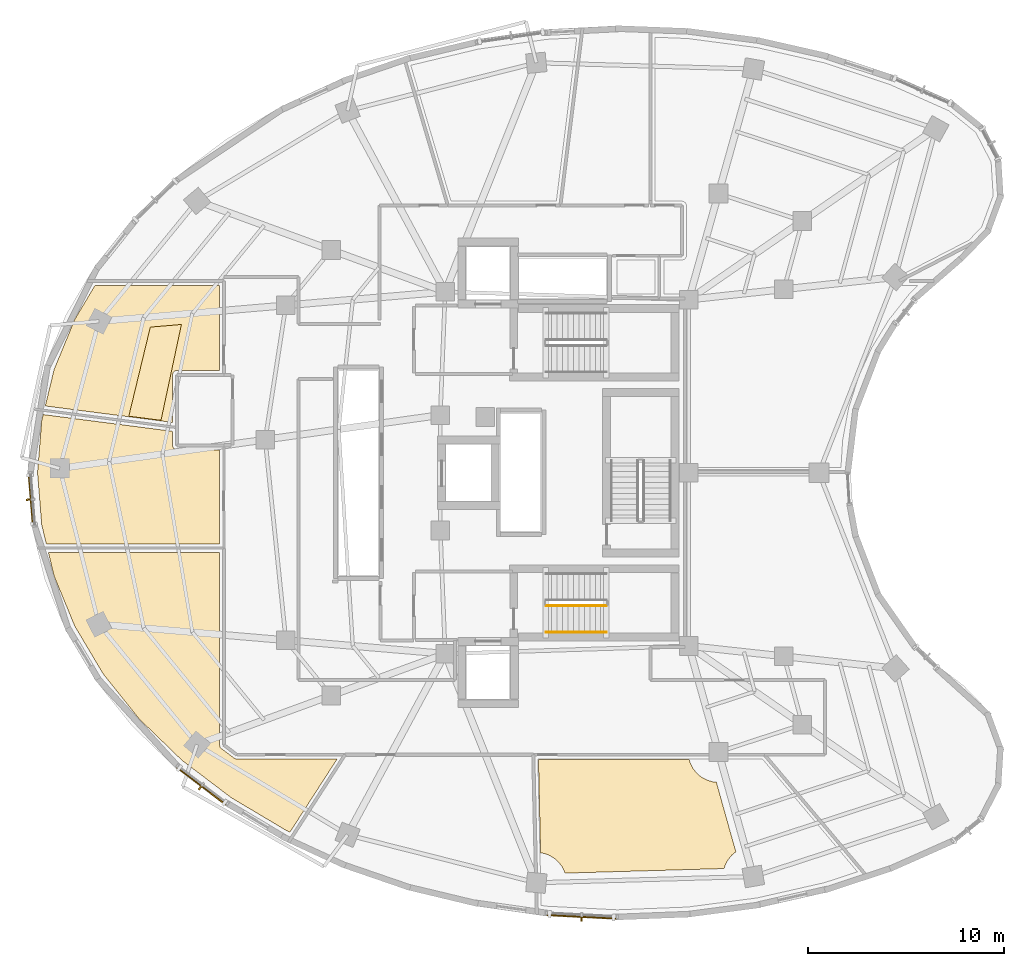
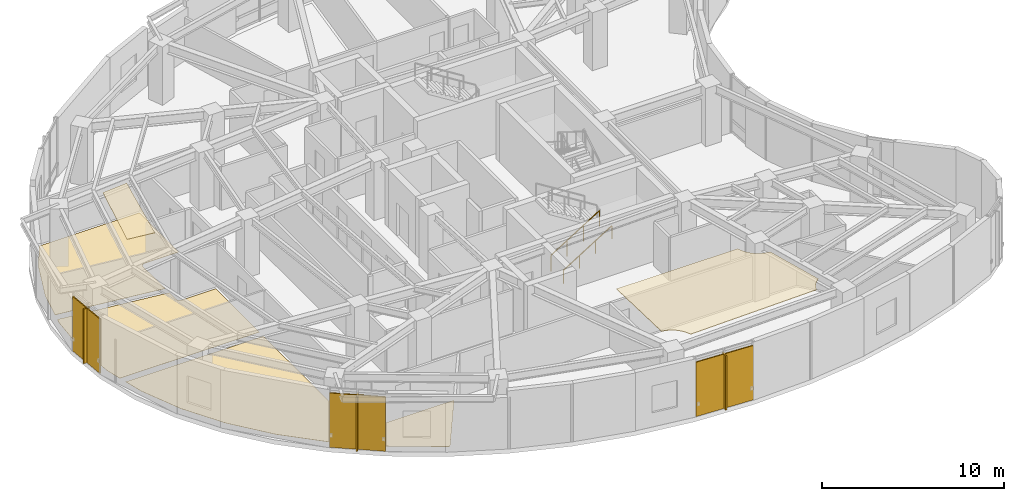
# One storey, part 13 of 15: 6 shading devices, 5 coverings, 2 railings.
"""IFC4 building model written with IfcOpenShell, lengths in metres."""

from ifc_helpers import new_model, si_unit, direction, frame, origin, origin_2d, place, context, subcontext, project, spatial, polyline, rectangle, outline, extrude, material, layer, layer_set, type_object, element, save


model = new_model("IFC4")

# Units and contexts
model_context = context("Model", 3, precision=1e-05, world=origin(), true_north=direction((0.0, 1.0)))
body_context = subcontext(model_context, "Body", "Model", "MODEL_VIEW")
ifc_project = project(units=[si_unit("LENGTHUNIT", "METRE"), si_unit("AREAUNIT", "SQUARE_METRE"), si_unit("VOLUMEUNIT", "CUBIC_METRE"), si_unit("PLANEANGLEUNIT", "RADIAN"), si_unit("MASSUNIT", "GRAM", prefix="KILO")], contexts=[model_context])

# Site, building, storey
site_placement = place(None, origin())
site = spatial("IfcSite", under=ifc_project, at=site_placement, CompositionType="ELEMENT")
building_placement = place(site_placement, origin())
building = spatial("IfcBuilding", under=site, at=building_placement, Name="Korentha Bioscience Tower", CompositionType="ELEMENT")
storey_placement = place(building_placement, frame((0.0, 0.0, 218.39990234375)))
storey = spatial("IfcBuildingStorey", under=building, at=storey_placement, Name="L50", CompositionType="ELEMENT", Elevation=218.39990234375)

# Railing
ifc_material_1 = material(Name="Stainless Steel 304", Category="steel")
railing_type_1 = type_object("IfcRailingType", Name="Brushed Stainless Stair Handrail 900", PredefinedType="HANDRAIL", material=ifc_material_1)
railing_1_placement = place(storey_placement, frame((30.25, 18.85009765625, 0.175048828125)))
element("IfcRailing", 1, at=railing_1_placement, inside=storey, type_object=railing_type_1, Name="L50 ST-2 stair handrail 1", PredefinedType="HANDRAIL", context=body_context, shape_type="SweptSolid", body=[
    extrude(rectangle(XDim=0.048095703125, YDim=0.048095703125, at=origin_2d()), frame((0.0, 0.0, 0.8759765625), z_axis=(0.847998304005, 0.0, 0.529998940003), x_axis=(0.0, 1.0, 0.0)), (0.0, 0.0, 1.0), 3.632080078125),
    extrude(rectangle(XDim=0.0419921875, YDim=0.0419921875, at=origin_2d()), origin(), (0.0, 0.0, 1.0), 0.851806640625),
    extrude(rectangle(XDim=0.0419921875, YDim=0.0419921875, at=origin_2d()), frame((1.026611328125, 0.0, 0.6416015625)), (0.0, 0.0, 1.0), 0.851806640625),
    extrude(rectangle(XDim=0.0419921875, YDim=0.0419921875, at=origin_2d()), frame((2.053466796875, 0.0, 1.283447265625)), (0.0, 0.0, 1.0), 0.851806640625),
    extrude(rectangle(XDim=0.0419921875, YDim=0.0419921875, at=origin_2d()), frame((3.080078125, 0.0, 1.925048828125)), (0.0, 0.0, 1.0), 0.851806640625),
])

# Coverings
ifc_material_2 = material(Name="Antimicrobial Mineral Fibre Board", Category="gypsum")
ifc_layer_1 = layer(ifc_material_2, 0.034912109375, Name="Antimicrobial Mineral Fibre Board")
ifc_layer_set_1 = layer_set([ifc_layer_1], Name="Antimicrobial Mineral Fibre Board (CL-MF35)")
covering_type_1 = type_object("IfcCoveringType", Name="Mineral-Fibre Cleanroom Suspended Ceiling 35", PredefinedType="CEILING", material=ifc_layer_set_1)
covering_1_placement = place(storey_placement, frame((0.0, 0.0, 3.864990234375)))
element("IfcCovering", 2, at=covering_1_placement, inside=storey, type_object=covering_type_1, Name="L50 Sterile Media Preparation Kitchen 05 Acoustic Ceiling", PredefinedType="CEILING", context=body_context, shape_type="SweptSolid", body=[
    extrude(outline(polyline([(39.953125, 7.632568359375), (39.7509765625, 7.464111328125), (39.55810546875, 7.22900390625), (39.414794921875, 6.961181640625), (39.352783203125, 6.774658203125), (31.2275390625, 6.540771484375), (31.126220703125, 6.779541015625), (31.048095703125, 6.909912109375), (30.855224609375, 7.144775390625), (30.74267578125, 7.2470703125), (30.620361328125, 7.337646484375), (30.3525390625, 7.480712890625), (30.209228515625, 7.531982421875), (29.97412109375, 7.58203125), (29.8671875, 12.340087890625), (37.568359375, 12.340087890625), (37.634521484375, 12.13720703125), (37.77783203125, 11.869140625), (37.970703125, 11.63427734375), (38.083251953125, 11.531982421875), (38.20556640625, 11.44140625), (38.473388671875, 11.29833984375), (38.76416015625, 11.210205078125), (38.958984375, 11.185546875), (39.953125, 7.632568359375)])), origin(), (0.0, 0.0, 1.0), 0.03515625),
])
covering_2_placement = place(storey_placement, frame((0.0, 0.0, 3.864990234375)))
element("IfcCovering", 3, at=covering_2_placement, inside=storey, type_object=covering_type_1, Name="L50 Neurobiology Electrophysiology Lab 11 Acoustic Ceiling", PredefinedType="CEILING", context=body_context, shape_type="SweptSolid", body=[
    extrude(outline(polyline([(10.031982421875, 34.443359375), (11.621337890625, 34.578857421875), (10.577880859375, 29.6796875), (8.932861328125, 29.892578125), (10.031982421875, 34.443359375)])), origin(), (0.0, 0.0, 1.0), 0.03515625),
])

# Railing
ifc_material_3 = material(Name="Painted Steel S275", Category="steel")
railing_type_2 = type_object("IfcRailingType", Name="Painted Steel Stair Well Guardrail 1100", PredefinedType="GUARDRAIL", material=ifc_material_3)
railing_2_placement = place(storey_placement, frame((30.25, 20.199951171875, 0.175048828125)))
element("IfcRailing", 4, at=railing_2_placement, inside=storey, type_object=railing_type_2, Name="L50 ST-2 stair guard 1", PredefinedType="GUARDRAIL", context=body_context, shape_type="SweptSolid", body=[
    extrude(rectangle(XDim=0.048095703125, YDim=0.048095703125, at=origin_2d()), frame((0.0, 0.0, 1.076171875), z_axis=(0.847998304005, 0.0, 0.529998940003), x_axis=(0.0, 1.0, 0.0)), (0.0, 0.0, 1.0), 3.632080078125),
    extrude(rectangle(XDim=0.0419921875, YDim=0.0419921875, at=origin_2d()), origin(), (0.0, 0.0, 1.0), 1.052001953125),
    extrude(rectangle(XDim=0.0419921875, YDim=0.0419921875, at=origin_2d()), frame((1.026611328125, 0.0, 0.6416015625)), (0.0, 0.0, 1.0), 1.052001953125),
    extrude(rectangle(XDim=0.0419921875, YDim=0.0419921875, at=origin_2d()), frame((2.053466796875, 0.0, 1.283447265625)), (0.0, 0.0, 1.0), 1.052001953125),
    extrude(rectangle(XDim=0.0419921875, YDim=0.0419921875, at=origin_2d()), frame((3.080078125, 0.0, 1.925048828125)), (0.0, 0.0, 1.0), 1.052001953125),
])

# Shading devices
ifc_material_4 = material(Name="Perforated Stone-Ceramic Composite", Category="masonry")
ifc_layer_2 = layer(ifc_material_4, 0.06494140625, Name="Perforated Stone-Ceramic Composite")
ifc_layer_set_2 = layer_set([ifc_layer_2], Name="Perforated Stone-Ceramic Composite (CS-01)")
shading_device_type_1 = type_object("IfcShadingDeviceType", Name="Perforated Stone-Ceramic Solar Screen Panel 65", PredefinedType="USERDEFINED", material=ifc_layer_set_2)
shading_device_1_placement = place(storey_placement, frame((3.926513671875, 25.634765625, 0.000244140625), z_axis=(0.0, 0.0, 1.0), x_axis=(0.07974803224, -0.996815053736, 0.0)))
element("IfcShadingDevice", 5, at=shading_device_1_placement, inside=storey, type_object=shading_device_type_1, Name="CW-L50-19 Perforated Stone-Ceramic Solar Screen", ObjectType="SCREEN", PredefinedType="USERDEFINED", context=body_context, shape_type="SweptSolid", body=[
    extrude(rectangle(XDim=2.64892578125, YDim=0.06494140625, at=origin_2d()), origin(), (0.0, 0.0, 1.0), 3.64990234375),
])
shading_device_2_placement = place(storey_placement, frame((12.64404296875, 10.98583984375, 0.000244140625), z_axis=(0.0, 0.0, 1.0), x_axis=(0.796889131105, -0.604125576951, 0.0)))
element("IfcShadingDevice", 6, at=shading_device_2_placement, inside=storey, type_object=shading_device_type_1, Name="CW-L50-25 Perforated Stone-Ceramic Solar Screen", ObjectType="SCREEN", PredefinedType="USERDEFINED", context=body_context, shape_type="SweptSolid", body=[
    extrude(rectangle(XDim=3.12548828125, YDim=0.06494140625, at=origin_2d()), origin(), (0.0, 0.0, 1.0), 3.64990234375),
])
shading_device_3_placement = place(storey_placement, frame((32.072998046875, 4.308837890625, 0.000244140625), z_axis=(0.0, 0.0, 1.0), x_axis=(0.998695818107, -0.051055488397, 0.0)))
element("IfcShadingDevice", 7, at=shading_device_3_placement, inside=storey, type_object=shading_device_type_1, Name="CW-L50-31 Perforated Stone-Ceramic Solar Screen", ObjectType="SCREEN", PredefinedType="USERDEFINED", context=body_context, shape_type="SweptSolid", body=[
    extrude(rectangle(XDim=3.54541015625, YDim=0.06494140625, at=origin_2d()), origin(), (0.0, 0.0, 1.0), 3.64990234375),
])

# Coverings
ifc_material_5 = material(Name="Chemical-Resistant Epoxy Resin", Category="polymer")
ifc_layer_3 = layer(ifc_material_5, 0.011962890625, Name="Chemical-Resistant Epoxy Resin")
ifc_layer_set_3 = layer_set([ifc_layer_3], Name="Chemical-Resistant Epoxy Resin (FL-EPX)")
covering_type_2 = type_object("IfcCoveringType", Name="Seamless Epoxy Laboratory Flooring 12", PredefinedType="FLOORING", material=ifc_layer_set_3)
covering_3_placement = place(storey_placement, origin())
element("IfcCovering", 8, at=covering_3_placement, inside=storey, type_object=covering_type_2, Name="L50 Principal Investigator Office 01 Floor Finish", PredefinedType="FLOORING", context=body_context, shape_type="SweptSolid", body=[
    extrude(outline(polyline([(11.169921875, 29.119140625), (11.172607421875, 28.36572265625), (11.229248046875, 28.245849609375), (11.322021484375, 28.18359375), (11.39990234375, 28.169921875), (13.570068359375, 28.169921875), (13.570068359375, 23.3720703125), (4.71630859375, 23.3720703125), (4.4814453125, 24.3408203125), (4.2685546875, 27.0), (4.4814453125, 29.6591796875), (4.557861328125, 29.974609375), (11.169921875, 29.119140625)])), origin(), (0.0, 0.0, 1.0), 0.01220703125),
])
covering_4_placement = place(storey_placement, origin())
element("IfcCovering", 9, at=covering_4_placement, inside=storey, type_object=covering_type_2, Name="L50 Staff Pantry Kitchenette 03 Floor Finish", PredefinedType="FLOORING", context=body_context, shape_type="SweptSolid", body=[
    extrude(outline(polyline([(9.45947265625, 14.422607421875), (7.622314453125, 16.72265625), (6.168701171875, 19.166015625), (5.1171875, 21.717529296875), (4.8251953125, 22.922119140625), (13.570068359375, 22.922119140625), (13.570068359375, 13.09619140625), (13.605224609375, 12.9736328125), (13.6611328125, 12.912841796875), (14.3154296875, 12.416748046875), (14.423095703125, 12.372314453125), (19.5771484375, 12.3701171875), (17.16650390625, 8.633544921875), (16.992919921875, 8.71337890625), (14.17822265625, 10.387451171875), (11.655029296875, 12.30029296875), (9.45947265625, 14.422607421875)])), origin(), (0.0, 0.0, 1.0), 0.01220703125),
])
covering_5_placement = place(storey_placement, origin())
element("IfcCovering", 10, at=covering_5_placement, inside=storey, type_object=covering_type_2, Name="L50 Neurobiology Electrophysiology Lab 11 Floor Finish", PredefinedType="FLOORING", context=body_context, shape_type="SweptSolid", body=[
    extrude(outline(polyline([(7.20263671875, 36.572021484375), (13.570068359375, 36.572021484375), (13.570068359375, 32.22998046875), (11.38916015625, 32.229736328125), (11.302001953125, 32.2080078125), (11.229248046875, 32.154052734375), (11.18359375, 32.077880859375), (11.169921875, 32.0), (11.169921875, 29.57275390625), (4.664306640625, 30.414306640625), (5.1171875, 32.282470703125), (6.168701171875, 34.833740234375), (7.20263671875, 36.572021484375)])), origin(), (0.0, 0.0, 1.0), 0.01220703125),
])

# Shading devices
ifc_material_6 = material(Name="Honed Travertine Limestone", Category="masonry")
ifc_layer_4 = layer(ifc_material_6, 0.080078125, Name="Honed Travertine Limestone")
ifc_layer_set_4 = layer_set([ifc_layer_4], Name="Honed Travertine Limestone (CS-02)")
shading_device_type_2 = type_object("IfcShadingDeviceType", Name="Vertical Honed Limestone Sunshade Fin 80x420", PredefinedType="USERDEFINED", material=ifc_layer_set_4)
for number, where, z_axis, x_axis, name in (
    (11, (3.906494140625, 25.63330078125, 0.000244140625), (0.0, 0.0, 1.0), (0.07974803224, -0.996815053736, 0.0), "CW-L50-19 Limestone Sunshade Fin"),
    (12, (12.6318359375, 10.969970703125, 0.000244140625), (0.0, 0.0, 1.0), (0.796889131105, -0.604125576951, 0.0), "CW-L50-25 Limestone Sunshade Fin"),
    (13, (32.072021484375, 4.2890625, 0.000244140625), (0.0, 0.0, 1.0), (0.998695818107, -0.051055488397, 0.0), "CW-L50-31 Limestone Sunshade Fin"),
):
    element("IfcShadingDevice", number, at=place(storey_placement, frame(where, z_axis=z_axis, x_axis=x_axis)), inside=storey, type_object=shading_device_type_2, Name=name, ObjectType="SCREEN", PredefinedType="USERDEFINED", context=body_context, shape_type="SweptSolid", body=[
        extrude(rectangle(XDim=0.080078125, YDim=0.419921875, at=origin_2d()), origin(), (0.0, 0.0, 1.0), 3.64990234375),
    ])

save(model, "model.ifc")
